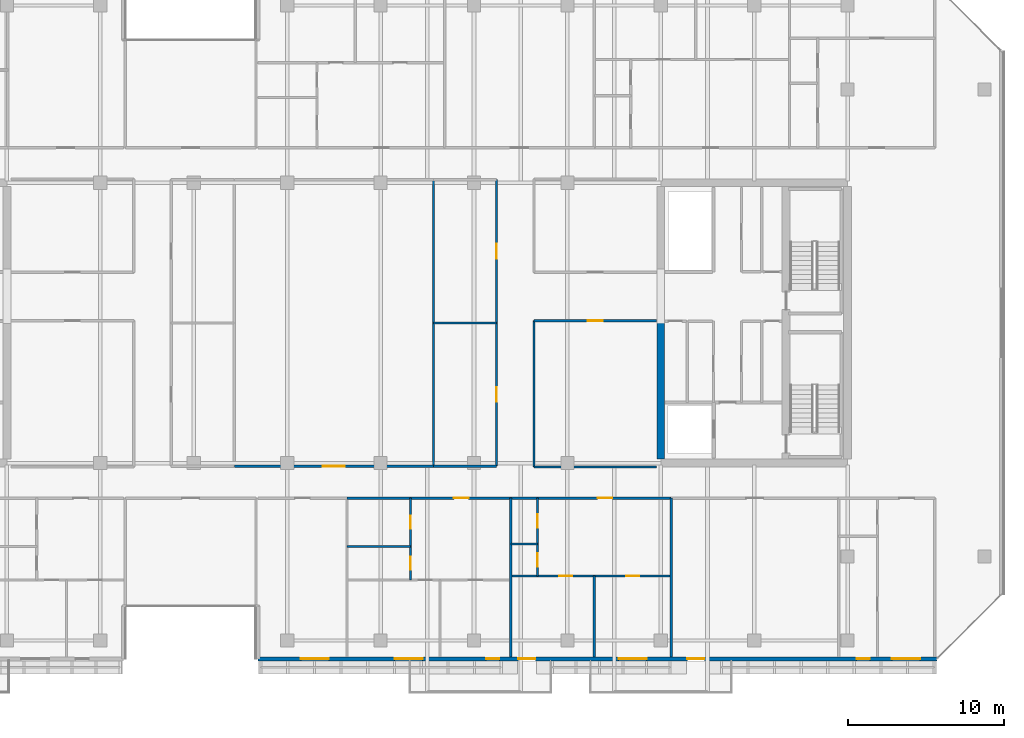
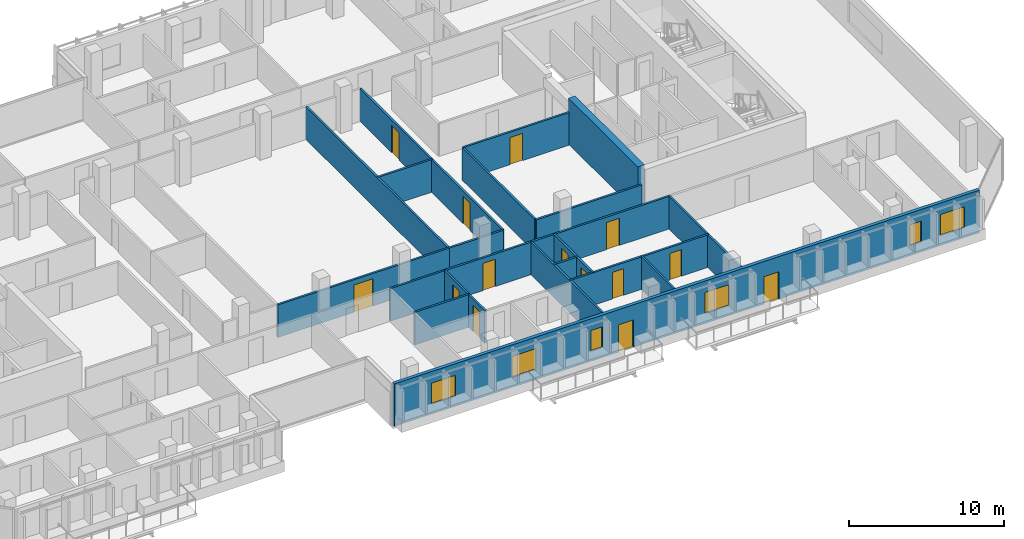
# One storey, part 21 of 31: 21 walls, 14 doors, 6 windows, 20 openings.
"""IFC4 building model written with IfcOpenShell, lengths in metres."""

from ifc_helpers import new_model, si_unit, direction, frame, frame_2d, origin, place, context, subcontext, project, spatial, rectangle, extrude, material, layer, layer_set, type_object, element, fill, save


model = new_model("IFC4")

# Units and contexts
model_context = context("Model", 3, precision=1e-05, world=origin(), true_north=direction((0.0, 1.0)))
body_context = subcontext(model_context, "Body", "Model", "MODEL_VIEW")
ifc_project = project(units=[si_unit("LENGTHUNIT", "METRE"), si_unit("AREAUNIT", "SQUARE_METRE"), si_unit("VOLUMEUNIT", "CUBIC_METRE"), si_unit("PLANEANGLEUNIT", "RADIAN"), si_unit("MASSUNIT", "GRAM", prefix="KILO")], contexts=[model_context])

# Site, building, storey
site_placement = place(None, origin())
site = spatial("IfcSite", under=ifc_project, at=site_placement, CompositionType="ELEMENT")
building_placement = place(site_placement, origin())
building = spatial("IfcBuilding", under=site, at=building_placement, Name="Tanjung Sevakor Pilgrim Tower", CompositionType="ELEMENT")
storey_placement = place(building_placement, frame((0.0, 0.0, 169.2900390625)))
storey = spatial("IfcBuildingStorey", under=building, at=storey_placement, Name="L47", CompositionType="ELEMENT", Elevation=169.2900390625)

# Walls
ifc_material_1 = material(Name="Concrete C60/75", Category="concrete")
ifc_layer_1 = layer(ifc_material_1, 0.5)
ifc_layer_set_1 = layer_set([ifc_layer_1], Name="WALL-CW-500")
wall_type_1 = type_object("IfcWallType", Name="WALL-CW-500", PredefinedType="SHEAR", material=ifc_layer_set_1)
wall_1_placement = place(storey_placement, frame((78.0, 24.85009765625, 0.0), z_axis=(0.0, 0.0, 1.0), x_axis=(0.0, 1.0, 0.0)))
element("IfcWall", 1, at=wall_1_placement, inside=storey, type_object=wall_type_1, Name="L47 E Core Inner Shear Wall South", PredefinedType="SHEAR", context=body_context, shape_type="SweptSolid", body=[
    extrude(rectangle(XDim=8.949951171875, YDim=0.5, at=frame_2d((4.47509765625, 0.0))), origin(), (0.0, 0.0, 1.0), 3.6298828125),
])
ifc_material_2 = material(Name="Concrete C40/50", Category="concrete")
ifc_layer_2 = layer(ifc_material_2, 0.14990234375)
ifc_layer_set_2 = layer_set([ifc_layer_2], Name="WT-COMP-150")
wall_type_2 = type_object("IfcWallType", Name="WT-COMP-150", PredefinedType="SOLIDWALL", material=ifc_layer_set_2)
wall_2_placement = place(storey_placement, frame((69.85009765625, 24.35009765625, 0.0), z_axis=(0.0, 0.0, 1.0), x_axis=(1.0, 0.0, 0.0)))
element("IfcWall", 2, at=wall_2_placement, inside=storey, type_object=wall_type_2, Name="L47 Partition IW-L47-039", PredefinedType="SOLIDWALL", context=body_context, shape_type="SweptSolid", body=[
    extrude(rectangle(XDim=7.8798828125, YDim=0.14990234375, at=frame_2d((3.93994140625, 0.0))), origin(), (0.0, 0.0, 1.0), 2.570068359375),
])

# Wall, opening, door
wall_3_placement = place(storey_placement, frame((69.85009765625, 33.75, 0.0), z_axis=(0.0, 0.0, 1.0), x_axis=(1.0, 0.0, 0.0)))
wall_3 = element("IfcWall", 3, at=wall_3_placement, inside=storey, type_object=wall_type_2, Name="L47 Partition IW-L47-040", PredefinedType="SOLIDWALL", context=body_context, shape_type="SweptSolid", body=[
    extrude(rectangle(XDim=7.8798828125, YDim=0.14990234375, at=frame_2d((3.93994140625, 0.0))), origin(), (0.0, 0.0, 1.0), 2.570068359375),
])
opening_1_placement = place(wall_3_placement, frame((3.465087890625, 0.0, 0.0)))
opening_1 = element("IfcOpeningElement", 4, at=opening_1_placement, cuts=wall_3, Name="Opening ID-RM1", PredefinedType="OPENING", context=body_context, shape_type="SweptSolid", body=[
    extrude(rectangle(XDim=0.949951171875, YDim=2.14990234375, at=frame_2d((0.47509765625, 1.074951171875))), frame((0.0, 0.0849609375, 0.0), z_axis=(0.0, -1.0, 0.0), x_axis=(1.0, 0.0, 0.0)), (0.0, 0.0, 1.0), 0.169921875),
])
ifc_material_3 = material(Name="Hardwood Timber", Category="wood")
door_type_1 = type_object("IfcDoorType", Name="DT-INT-950", OperationType="NOTDEFINED", PredefinedType="DOOR", material=ifc_material_3)
door_1_placement = place(opening_1_placement, origin())
door_1 = element("IfcDoor", 5, at=door_1_placement, inside=storey, type_object=door_type_1, Name="L47 East Inboard South Door", OperationType="SINGLE_SWING_RIGHT", OverallHeight=2.14990234375, OverallWidth=0.949951171875, PredefinedType="DOOR", context=body_context, shape_type="SweptSolid", body=[
    extrude(rectangle(XDim=0.949951171875, YDim=2.14990234375, at=frame_2d((0.47509765625, 1.074951171875))), frame((0.0, 0.02490234375, 0.0), z_axis=(0.0, -1.0, 0.0), x_axis=(1.0, 0.0, 0.0)), (0.0, 0.0, 1.0), 0.050048828125),
])
fill(opening_1, door_1)

# Wall
wall_4_placement = place(storey_placement, frame((69.85009765625, 24.35009765625, 0.0), z_axis=(0.0, 0.0, 1.0), x_axis=(0.0, 1.0, 0.0)))
element("IfcWall", 6, at=wall_4_placement, inside=storey, type_object=wall_type_2, Name="L47 Partition IW-L47-041", PredefinedType="SOLIDWALL", context=body_context, shape_type="SweptSolid", body=[
    extrude(rectangle(XDim=9.39990234375, YDim=0.14990234375, at=frame_2d((4.699951171875, 0.0))), origin(), (0.0, 0.0, 1.0), 2.570068359375),
])

# Wall, opening, door
wall_5_placement = place(storey_placement, frame((50.60009765625, 24.39990234375, 0.0), z_axis=(0.0, 0.0, 1.0), x_axis=(1.0, 0.0, 0.0)))
wall_5 = element("IfcWall", 7, at=wall_5_placement, inside=storey, type_object=wall_type_2, Name="L47 Partition IW-L47-050", PredefinedType="SOLIDWALL", context=body_context, shape_type="SweptSolid", body=[
    extrude(rectangle(XDim=12.7998046875, YDim=0.14990234375, at=frame_2d((6.39990234375, 0.0))), origin(), (0.0, 0.0, 1.0), 2.570068359375),
])
opening_2_placement = place(wall_5_placement, frame((5.699951171875, 0.0, 0.0)))
opening_2 = element("IfcOpeningElement", 8, at=opening_2_placement, cuts=wall_5, Name="Opening ID-HD1", PredefinedType="OPENING", context=body_context, shape_type="SweptSolid", body=[
    extrude(rectangle(XDim=1.39990234375, YDim=2.14990234375, at=frame_2d((0.699951171875, 1.074951171875))), frame((0.0, 0.0849609375, 0.0), z_axis=(0.0, -1.0, 0.0), x_axis=(1.0, 0.0, 0.0)), (0.0, 0.0, 1.0), 0.169921875),
])
ifc_material_4 = material(Name="Hardwood Timber", Category="wood")
door_type_2 = type_object("IfcDoorType", Name="DT-INT-1400", OperationType="DOUBLE_DOOR_SINGLE_SWING", PredefinedType="DOOR", material=ifc_material_4)
door_2_placement = place(opening_2_placement, origin())
door_2 = element("IfcDoor", 9, at=door_2_placement, inside=storey, type_object=door_type_2, Name="L47 Sky-Prayer Sanctuary Door", OperationType="SINGLE_SWING_RIGHT", OverallHeight=2.14990234375, OverallWidth=1.39990234375, PredefinedType="DOOR", context=body_context, shape_type="SweptSolid", body=[
    extrude(rectangle(XDim=1.39990234375, YDim=2.14990234375, at=frame_2d((0.699951171875, 1.074951171875))), frame((0.0, 0.02490234375, 0.0), z_axis=(0.0, -1.0, 0.0), x_axis=(1.0, 0.0, 0.0)), (0.0, 0.0, 1.0), 0.050048828125),
])
fill(opening_2, door_2)

# Walls
wall_6_placement = place(storey_placement, frame((63.39990234375, 24.39990234375, 0.0), z_axis=(0.0, 0.0, 1.0), x_axis=(0.0, 1.0, 0.0)))
element("IfcWall", 10, at=wall_6_placement, inside=storey, type_object=wall_type_2, Name="L47 Partition IW-L47-053", PredefinedType="SOLIDWALL", context=body_context, shape_type="SweptSolid", body=[
    extrude(rectangle(XDim=18.400146484375, YDim=0.14990234375, at=frame_2d((9.2001953125, 0.0))), origin(), (0.0, 0.0, 1.0), 2.570068359375),
])
for number, where, z_axis, x_axis, name in (
    (11, (63.39990234375, 24.39990234375, 0.0), (0.0, 0.0, 1.0), (1.0, 0.0, 0.0), "L47 Partition IW-L47-054"),
    (12, (63.39990234375, 33.60009765625, 0.0), (0.0, 0.0, 1.0), (1.0, 0.0, 0.0), "L47 Partition IW-L47-055"),
):
    element("IfcWall", number, at=place(storey_placement, frame(where, z_axis=z_axis, x_axis=x_axis)), inside=storey, type_object=wall_type_2, Name=name, PredefinedType="SOLIDWALL", context=body_context, shape_type="SweptSolid", body=[
        extrude(rectangle(XDim=4.050048828125, YDim=0.14990234375, at=frame_2d((2.02490234375, 0.0))), origin(), (0.0, 0.0, 1.0), 2.570068359375),
    ])

# Wall, opening, door
wall_7_placement = place(storey_placement, frame((67.449951171875, 24.39990234375, 0.0), z_axis=(0.0, 0.0, 1.0), x_axis=(0.0, 1.0, 0.0)))
wall_7 = element("IfcWall", 13, at=wall_7_placement, inside=storey, type_object=wall_type_2, Name="L47 Partition IW-L47-056", PredefinedType="SOLIDWALL", context=body_context, shape_type="SweptSolid", body=[
    extrude(rectangle(XDim=9.2001953125, YDim=0.14990234375, at=frame_2d((4.60009765625, 0.0))), origin(), (0.0, 0.0, 1.0), 2.570068359375),
])
opening_3_placement = place(wall_7_placement, frame((4.125, 0.0, 0.0)))
opening_3 = element("IfcOpeningElement", 14, at=opening_3_placement, cuts=wall_7, Name="Opening ID-RM1", PredefinedType="OPENING", context=body_context, shape_type="SweptSolid", body=[
    extrude(rectangle(XDim=0.949951171875, YDim=2.14990234375, at=frame_2d((0.47509765625, 1.074951171875))), frame((0.0, 0.0849609375, 0.0), z_axis=(0.0, -1.0, 0.0), x_axis=(1.0, 0.0, 0.0)), (0.0, 0.0, 1.0), 0.169921875),
])
door_3_placement = place(opening_3_placement, origin())
door_3 = element("IfcDoor", 15, at=door_3_placement, inside=storey, type_object=door_type_1, Name="L47 Female Ablution Door", OperationType="SINGLE_SWING_LEFT", OverallHeight=2.14990234375, OverallWidth=0.949951171875, PredefinedType="DOOR", context=body_context, shape_type="SweptSolid", body=[
    extrude(rectangle(XDim=0.949951171875, YDim=2.14990234375, at=frame_2d((0.47509765625, 1.074951171875))), frame((0.0, 0.02490234375, 0.0), z_axis=(0.0, -1.0, 0.0), x_axis=(1.0, 0.0, 0.0)), (0.0, 0.0, 1.0), 0.050048828125),
])
fill(opening_3, door_3)

wall_8_placement = place(storey_placement, frame((67.449951171875, 33.60009765625, 0.0), z_axis=(0.0, 0.0, 1.0), x_axis=(0.0, 1.0, 0.0)))
wall_8 = element("IfcWall", 16, at=wall_8_placement, inside=storey, type_object=wall_type_2, Name="L47 Partition IW-L47-058", PredefinedType="SOLIDWALL", context=body_context, shape_type="SweptSolid", body=[
    extrude(rectangle(XDim=9.199951171875, YDim=0.14990234375, at=frame_2d((4.60009765625, 0.0))), origin(), (0.0, 0.0, 1.0), 2.570068359375),
])
opening_4_placement = place(wall_8_placement, frame((4.125, 0.0, 0.0)))
opening_4 = element("IfcOpeningElement", 17, at=opening_4_placement, cuts=wall_8, Name="Opening ID-RM1", PredefinedType="OPENING", context=body_context, shape_type="SweptSolid", body=[
    extrude(rectangle(XDim=0.949951171875, YDim=2.14990234375, at=frame_2d((0.47509765625, 1.074951171875))), frame((0.0, 0.0849609375, 0.0), z_axis=(0.0, -1.0, 0.0), x_axis=(1.0, 0.0, 0.0)), (0.0, 0.0, 1.0), 0.169921875),
])
door_4_placement = place(opening_4_placement, origin())
door_4 = element("IfcDoor", 18, at=door_4_placement, inside=storey, type_object=door_type_1, Name="L47 Female Washroom Door", OperationType="SINGLE_SWING_RIGHT", OverallHeight=2.14990234375, OverallWidth=0.949951171875, PredefinedType="DOOR", context=body_context, shape_type="SweptSolid", body=[
    extrude(rectangle(XDim=0.949951171875, YDim=2.14990234375, at=frame_2d((0.47509765625, 1.074951171875))), frame((0.0, 0.02490234375, 0.0), z_axis=(0.0, -1.0, 0.0), x_axis=(1.0, 0.0, 0.0)), (0.0, 0.0, 1.0), 0.050048828125),
])
fill(opening_4, door_4)

# Wall
wall_9_placement = place(storey_placement, frame((68.367919921875, 12.14990234375, 0.0), z_axis=(0.0, 0.0, 1.0), x_axis=(0.0, 1.0, 0.0)))
element("IfcWall", 19, at=wall_9_placement, inside=storey, type_object=wall_type_2, Name="L47 Partition IW-L47-080", PredefinedType="SOLIDWALL", context=body_context, shape_type="SweptSolid", body=[
    extrude(rectangle(XDim=10.2001953125, YDim=0.14990234375, at=frame_2d((5.10009765625, 0.0))), origin(), (0.0, 0.0, 1.0), 2.570068359375),
])

# Wall, opening, door
wall_10_placement = place(storey_placement, frame((57.841064453125, 22.35009765625, 0.0), z_axis=(0.0, 0.0, 1.0), x_axis=(1.0, 0.0, 0.0)))
wall_10 = element("IfcWall", 20, at=wall_10_placement, inside=storey, type_object=wall_type_2, Name="L47 Partition IW-L47-085", PredefinedType="SOLIDWALL", context=body_context, shape_type="SweptSolid", body=[
    extrude(rectangle(XDim=10.52685546875, YDim=0.14990234375, at=frame_2d((5.263427734375, 0.0))), origin(), (0.0, 0.0, 1.0), 2.570068359375),
])
opening_5_placement = place(wall_10_placement, frame((6.867919921875, 0.0, 0.0)))
opening_5 = element("IfcOpeningElement", 21, at=opening_5_placement, cuts=wall_10, Name="Opening ID-FD2", PredefinedType="OPENING", context=body_context, shape_type="SweptSolid", body=[
    extrude(rectangle(XDim=0.949951171875, YDim=2.14990234375, at=frame_2d((0.47509765625, 1.074951171875))), frame((0.0, 0.0849609375, 0.0), z_axis=(0.0, -1.0, 0.0), x_axis=(1.0, 0.0, 0.0)), (0.0, 0.0, 1.0), 0.169921875),
])
ifc_material_5 = material(Name="Fire-Rated Timber", Category="wood")
door_type_3 = type_object("IfcDoorType", Name="DT-FIRE-950", OperationType="NOTDEFINED", PredefinedType="DOOR", material=ifc_material_5)
door_5_placement = place(opening_5_placement, origin())
door_5 = element("IfcDoor", 22, at=door_5_placement, inside=storey, type_object=door_type_3, Name="Suite Entrance", OperationType="SINGLE_SWING_RIGHT", OverallHeight=2.14990234375, OverallWidth=0.949951171875, PredefinedType="DOOR", context=body_context, shape_type="SweptSolid", body=[
    extrude(rectangle(XDim=0.949951171875, YDim=2.14990234375, at=frame_2d((0.47509765625, 1.074951171875))), frame((0.0, 0.02490234375, 0.0), z_axis=(0.0, -1.0, 0.0), x_axis=(1.0, 0.0, 0.0)), (0.0, 0.0, 1.0), 0.050048828125),
])
fill(opening_5, door_5)

# Wall
wall_11_placement = place(storey_placement, frame((78.665771484375, 12.14990234375, 0.0), z_axis=(0.0, 0.0, 1.0), x_axis=(0.0, 1.0, 0.0)))
element("IfcWall", 23, at=wall_11_placement, inside=storey, type_object=wall_type_2, Name="L47 Partition IW-L47-086", PredefinedType="SOLIDWALL", context=body_context, shape_type="SweptSolid", body=[
    extrude(rectangle(XDim=10.2001953125, YDim=0.14990234375, at=frame_2d((5.10009765625, 0.0))), origin(), (0.0, 0.0, 1.0), 2.570068359375),
])

# Wall, opening, door
wall_12_placement = place(storey_placement, frame((68.367919921875, 22.35009765625, 0.0), z_axis=(0.0, 0.0, 1.0), x_axis=(1.0, 0.0, 0.0)))
wall_12 = element("IfcWall", 24, at=wall_12_placement, inside=storey, type_object=wall_type_2, Name="L47 Partition IW-L47-091", PredefinedType="SOLIDWALL", context=body_context, shape_type="SweptSolid", body=[
    extrude(rectangle(XDim=10.2978515625, YDim=0.14990234375, at=frame_2d((5.14892578125, 0.0))), origin(), (0.0, 0.0, 1.0), 2.570068359375),
])
opening_6_placement = place(wall_12_placement, frame((5.570068359375, 0.0, 0.0)))
opening_6 = element("IfcOpeningElement", 25, at=opening_6_placement, cuts=wall_12, Name="Opening ID-FD2", PredefinedType="OPENING", context=body_context, shape_type="SweptSolid", body=[
    extrude(rectangle(XDim=0.949951171875, YDim=2.14990234375, at=frame_2d((0.47509765625, 1.074951171875))), frame((0.0, 0.0849609375, 0.0), z_axis=(0.0, -1.0, 0.0), x_axis=(1.0, 0.0, 0.0)), (0.0, 0.0, 1.0), 0.169921875),
])
door_6_placement = place(opening_6_placement, origin())
door_6 = element("IfcDoor", 26, at=door_6_placement, inside=storey, type_object=door_type_3, Name="Suite Entrance", OperationType="SINGLE_SWING_LEFT", OverallHeight=2.14990234375, OverallWidth=0.949951171875, PredefinedType="DOOR", context=body_context, shape_type="SweptSolid", body=[
    extrude(rectangle(XDim=0.949951171875, YDim=2.14990234375, at=frame_2d((0.47509765625, 1.074951171875))), frame((0.0, 0.02490234375, 0.0), z_axis=(0.0, -1.0, 0.0), x_axis=(1.0, 0.0, 0.0)), (0.0, 0.0, 1.0), 0.050048828125),
])
fill(opening_6, door_6)

# Wall, openings, doors, windows
ifc_material_6 = material(Name="Precast concrete C45/55", Category="concrete")
ifc_layer_3 = layer(ifc_material_6, 0.25)
ifc_layer_set_3 = layer_set([ifc_layer_3], Name="WT-EW-STN3")
wall_type_3 = type_object("IfcWallType", Name="WT-EW-STN3", PredefinedType="SOLIDWALL", material=ifc_layer_set_3)
wall_13_placement = place(storey_placement, frame((52.125, 12.02490234375, 0.0), z_axis=(0.0, 0.0, 1.0), x_axis=(1.0, 0.0, 0.0)))
wall_13 = element("IfcWall", 27, at=wall_13_placement, inside=storey, type_object=wall_type_3, Name="L47 MAIN Exterior Wall 5", PredefinedType="SOLIDWALL", context=body_context, shape_type="SweptSolid", body=[
    extrude(rectangle(XDim=43.623291015625, YDim=0.25, at=frame_2d((21.8115234375, 0.0))), origin(), (0.0, 0.0, 1.0), 3.35009765625),
])
opening_7_placement = place(wall_13_placement, frame((16.72509765625, 0.0, 0.0)))
opening_7 = element("IfcOpeningElement", 28, at=opening_7_placement, cuts=wall_13, Name="Opening ED-BAL-1100", PredefinedType="OPENING", context=body_context, shape_type="SweptSolid", body=[
    extrude(rectangle(XDim=1.10009765625, YDim=2.14990234375, at=frame_2d((0.550048828125, 1.074951171875))), frame((0.0, 0.135009765625, 0.0), z_axis=(0.0, -1.0, 0.0), x_axis=(1.0, 0.0, 0.0)), (0.0, 0.0, 1.0), 0.27001953125),
])
opening_8_placement = place(wall_13_placement, frame((27.574951171875, 0.0, 0.0)))
opening_8 = element("IfcOpeningElement", 29, at=opening_8_placement, cuts=wall_13, Name="Opening ED-BAL-1100", PredefinedType="OPENING", context=body_context, shape_type="SweptSolid", body=[
    extrude(rectangle(XDim=1.10009765625, YDim=2.14990234375, at=frame_2d((0.550048828125, 1.074951171875))), frame((0.0, 0.135009765625, 0.0), z_axis=(0.0, -1.0, 0.0), x_axis=(1.0, 0.0, 0.0)), (0.0, 0.0, 1.0), 0.27001953125),
])
opening_9_placement = place(wall_13_placement, frame((2.755615234375, 0.0, 0.780029296875)))
opening_9 = element("IfcOpeningElement", 30, at=opening_9_placement, cuts=wall_13, Name="Opening WN-Z3-1660", PredefinedType="OPENING", context=body_context, shape_type="SweptSolid", body=[
    extrude(rectangle(XDim=1.800048828125, YDim=1.659912109375, at=frame_2d((0.89990234375, 0.830078125))), frame((0.0, 0.135009765625, 0.0), z_axis=(0.0, -1.0, 0.0), x_axis=(1.0, 0.0, 0.0)), (0.0, 0.0, 1.0), 0.27001953125),
])
opening_10_placement = place(wall_13_placement, frame((8.775634765625, 0.0, 0.780029296875)))
opening_10 = element("IfcOpeningElement", 31, at=opening_10_placement, cuts=wall_13, Name="Opening WN-Z3-1660", PredefinedType="OPENING", context=body_context, shape_type="SweptSolid", body=[
    extrude(rectangle(XDim=1.800048828125, YDim=1.659912109375, at=frame_2d((0.89990234375, 0.830078125))), frame((0.0, 0.135009765625, 0.0), z_axis=(0.0, -1.0, 0.0), x_axis=(1.0, 0.0, 0.0)), (0.0, 0.0, 1.0), 0.27001953125),
])
opening_11_placement = place(wall_13_placement, frame((14.65380859375, 0.0, 0.780029296875)))
opening_11 = element("IfcOpeningElement", 32, at=opening_11_placement, cuts=wall_13, Name="Opening WN-SLM", PredefinedType="OPENING", context=body_context, shape_type="SweptSolid", body=[
    extrude(rectangle(XDim=0.85009765625, YDim=1.64990234375, at=frame_2d((0.425048828125, 0.824951171875))), frame((0.0, 0.135009765625, 0.0), z_axis=(0.0, -1.0, 0.0), x_axis=(1.0, 0.0, 0.0)), (0.0, 0.0, 1.0), 0.27001953125),
])
opening_12_placement = place(wall_13_placement, frame((23.1591796875, 0.0, 0.780029296875)))
opening_12 = element("IfcOpeningElement", 33, at=opening_12_placement, cuts=wall_13, Name="Opening WN-Z3-1660", PredefinedType="OPENING", context=body_context, shape_type="SweptSolid", body=[
    extrude(rectangle(XDim=1.800048828125, YDim=1.659912109375, at=frame_2d((0.89990234375, 0.830078125))), frame((0.0, 0.135009765625, 0.0), z_axis=(0.0, -1.0, 0.0), x_axis=(1.0, 0.0, 0.0)), (0.0, 0.0, 1.0), 0.27001953125),
])
opening_13_placement = place(wall_13_placement, frame((38.45068359375, 0.0, 0.780029296875)))
opening_13 = element("IfcOpeningElement", 34, at=opening_13_placement, cuts=wall_13, Name="Opening WN-SLM", PredefinedType="OPENING", context=body_context, shape_type="SweptSolid", body=[
    extrude(rectangle(XDim=0.85009765625, YDim=1.64990234375, at=frame_2d((0.425048828125, 0.824951171875))), frame((0.0, 0.135009765625, 0.0), z_axis=(0.0, -1.0, 0.0), x_axis=(1.0, 0.0, 0.0)), (0.0, 0.0, 1.0), 0.27001953125),
])
opening_14_placement = place(wall_13_placement, frame((40.72509765625, 0.0, 0.780029296875)))
opening_14 = element("IfcOpeningElement", 35, at=opening_14_placement, cuts=wall_13, Name="Opening WN-Z3-1660", PredefinedType="OPENING", context=body_context, shape_type="SweptSolid", body=[
    extrude(rectangle(XDim=1.800048828125, YDim=1.659912109375, at=frame_2d((0.89990234375, 0.830078125))), frame((0.0, 0.135009765625, 0.0), z_axis=(0.0, -1.0, 0.0), x_axis=(1.0, 0.0, 0.0)), (0.0, 0.0, 1.0), 0.27001953125),
])
ifc_material_7 = material(Name="Anodised Aluminium and Laminated Glass", Category="aluminium")
door_type_4 = type_object("IfcDoorType", Name="DTYP-ED-BAL-1100", OperationType="NOTDEFINED", PredefinedType="DOOR", material=ifc_material_7)
door_7_placement = place(opening_7_placement, frame((1.10009765625, 0.0, 0.0), z_axis=(0.0, 0.0, 1.0), x_axis=(-1.0, 0.0, 0.0)))
door_7 = element("IfcDoor", 36, at=door_7_placement, inside=storey, type_object=door_type_4, Name="L47 Balcony Door MAIN-S2", OperationType="SINGLE_SWING_LEFT", OverallHeight=2.14990234375, OverallWidth=1.10009765625, PredefinedType="DOOR", context=body_context, shape_type="SweptSolid", body=[
    extrude(rectangle(XDim=1.10009765625, YDim=2.14990234375, at=frame_2d((0.550048828125, 1.074951171875))), frame((0.0, 0.02490234375, 0.0), z_axis=(0.0, -1.0, 0.0), x_axis=(1.0, 0.0, 0.0)), (0.0, 0.0, 1.0), 0.050048828125),
])
fill(opening_7, door_7)
door_8_placement = place(opening_8_placement, frame((1.10009765625, 0.0, 0.0), z_axis=(0.0, 0.0, 1.0), x_axis=(-1.0, 0.0, 0.0)))
door_8 = element("IfcDoor", 37, at=door_8_placement, inside=storey, type_object=door_type_4, Name="L47 Balcony Door MAIN-S3", OperationType="SINGLE_SWING_RIGHT", OverallHeight=2.14990234375, OverallWidth=1.10009765625, PredefinedType="DOOR", context=body_context, shape_type="SweptSolid", body=[
    extrude(rectangle(XDim=1.10009765625, YDim=2.14990234375, at=frame_2d((0.550048828125, 1.074951171875))), frame((0.0, 0.02490234375, 0.0), z_axis=(0.0, -1.0, 0.0), x_axis=(1.0, 0.0, 0.0)), (0.0, 0.0, 1.0), 0.050048828125),
])
fill(opening_8, door_8)
ifc_material_8 = material(Name="Thermally Broken Aluminium and Low-E Glass", Category="aluminium")
window_type_1 = type_object("IfcWindowType", Name="WTYP-WN-SLM", PartitioningType="SINGLE_PANEL", PredefinedType="WINDOW", material=ifc_material_8)
window_1_placement = place(opening_11_placement, origin())
window_1 = element("IfcWindow", 38, at=window_1_placement, inside=storey, type_object=window_type_1, Name="L47 Facade Window 03", OverallHeight=1.64990234375, OverallWidth=0.85009765625, PartitioningType="SINGLE_PANEL", PredefinedType="WINDOW", context=body_context, shape_type="SweptSolid", body=[
    extrude(rectangle(XDim=0.85009765625, YDim=1.64990234375, at=frame_2d((0.425048828125, 0.824951171875))), frame((0.0, 0.030029296875, 0.0), z_axis=(0.0, -1.0, 0.0), x_axis=(1.0, 0.0, 0.0)), (0.0, 0.0, 1.0), 0.06005859375),
])
fill(opening_11, window_1)
window_2_placement = place(opening_13_placement, origin())
window_2 = element("IfcWindow", 39, at=window_2_placement, inside=storey, type_object=window_type_1, Name="L47 Facade Window 05", OverallHeight=1.64990234375, OverallWidth=0.85009765625, PartitioningType="SINGLE_PANEL", PredefinedType="WINDOW", context=body_context, shape_type="SweptSolid", body=[
    extrude(rectangle(XDim=0.85009765625, YDim=1.64990234375, at=frame_2d((0.425048828125, 0.824951171875))), frame((0.0, 0.030029296875, 0.0), z_axis=(0.0, -1.0, 0.0), x_axis=(1.0, 0.0, 0.0)), (0.0, 0.0, 1.0), 0.06005859375),
])
fill(opening_13, window_2)
ifc_material_9 = material(Name="Thermally Broken Aluminium and Low-E Glass", Category="aluminium")
window_type_2 = type_object("IfcWindowType", Name="WTYP-WN-Z3-1660", PartitioningType="DOUBLE_PANEL_VERTICAL", PredefinedType="WINDOW", material=ifc_material_9)
window_3_placement = place(opening_9_placement, origin())
window_3 = element("IfcWindow", 40, at=window_3_placement, inside=storey, type_object=window_type_2, Name="L47 Facade Window 01", OverallHeight=1.659912109375, OverallWidth=1.800048828125, PartitioningType="SINGLE_PANEL", PredefinedType="WINDOW", context=body_context, shape_type="SweptSolid", body=[
    extrude(rectangle(XDim=1.800048828125, YDim=1.659912109375, at=frame_2d((0.89990234375, 0.830078125))), frame((0.0, 0.030029296875, 0.0), z_axis=(0.0, -1.0, 0.0), x_axis=(1.0, 0.0, 0.0)), (0.0, 0.0, 1.0), 0.06005859375),
])
fill(opening_9, window_3)
window_4_placement = place(opening_10_placement, origin())
window_4 = element("IfcWindow", 41, at=window_4_placement, inside=storey, type_object=window_type_2, Name="L47 Facade Window 02", OverallHeight=1.659912109375, OverallWidth=1.800048828125, PartitioningType="SINGLE_PANEL", PredefinedType="WINDOW", context=body_context, shape_type="SweptSolid", body=[
    extrude(rectangle(XDim=1.800048828125, YDim=1.659912109375, at=frame_2d((0.89990234375, 0.830078125))), frame((0.0, 0.030029296875, 0.0), z_axis=(0.0, -1.0, 0.0), x_axis=(1.0, 0.0, 0.0)), (0.0, 0.0, 1.0), 0.06005859375),
])
fill(opening_10, window_4)
window_5_placement = place(opening_12_placement, origin())
window_5 = element("IfcWindow", 42, at=window_5_placement, inside=storey, type_object=window_type_2, Name="L47 Facade Window 04", OverallHeight=1.659912109375, OverallWidth=1.800048828125, PartitioningType="SINGLE_PANEL", PredefinedType="WINDOW", context=body_context, shape_type="SweptSolid", body=[
    extrude(rectangle(XDim=1.800048828125, YDim=1.659912109375, at=frame_2d((0.89990234375, 0.830078125))), frame((0.0, 0.030029296875, 0.0), z_axis=(0.0, -1.0, 0.0), x_axis=(1.0, 0.0, 0.0)), (0.0, 0.0, 1.0), 0.06005859375),
])
fill(opening_12, window_5)
window_6_placement = place(opening_14_placement, origin())
window_6 = element("IfcWindow", 43, at=window_6_placement, inside=storey, type_object=window_type_2, Name="L47 Facade Window 06", OverallHeight=1.659912109375, OverallWidth=1.800048828125, PartitioningType="SINGLE_PANEL", PredefinedType="WINDOW", context=body_context, shape_type="SweptSolid", body=[
    extrude(rectangle(XDim=1.800048828125, YDim=1.659912109375, at=frame_2d((0.89990234375, 0.830078125))), frame((0.0, 0.030029296875, 0.0), z_axis=(0.0, -1.0, 0.0), x_axis=(1.0, 0.0, 0.0)), (0.0, 0.0, 1.0), 0.06005859375),
])
fill(opening_14, window_6)

# Wall
ifc_material_10 = material(Name="Gypsum Board Partition", Category="gypsum board")
ifc_layer_4 = layer(ifc_material_10, 0.14990234375)
ifc_layer_set_4 = layer_set([ifc_layer_4], Name="WT-PART-150")
wall_type_4 = type_object("IfcWallType", Name="WT-PART-150", PredefinedType="PARTITIONING", material=ifc_layer_set_4)
wall_14_placement = place(storey_placement, frame((57.841064453125, 19.2431640625, 0.0), z_axis=(0.0, 0.0, 1.0), x_axis=(1.0, 0.0, 0.0)))
element("IfcWall", 44, at=wall_14_placement, inside=storey, type_object=wall_type_4, Name="L47 Partition IW-L47-081", PredefinedType="PARTITIONING", context=body_context, shape_type="SweptSolid", body=[
    extrude(rectangle(XDim=4.078857421875, YDim=0.14990234375, at=frame_2d((2.03955078125, 0.0))), origin(), (0.0, 0.0, 1.0), 2.570068359375),
])

# Wall, openings, doors
wall_15_placement = place(storey_placement, frame((61.919921875, 17.083984375, 0.0), z_axis=(0.0, 0.0, 1.0), x_axis=(0.0, 1.0, 0.0)))
wall_15 = element("IfcWall", 45, at=wall_15_placement, inside=storey, type_object=wall_type_4, Name="L47 Partition IW-L47-082", PredefinedType="PARTITIONING", context=body_context, shape_type="SweptSolid", body=[
    extrude(rectangle(XDim=5.26611328125, YDim=0.14990234375, at=frame_2d((2.633056640625, 0.0))), origin(), (0.0, 0.0, 1.0), 2.570068359375),
])
opening_15_placement = place(wall_15_placement, frame((0.654541015625, 0.0, 0.0)))
opening_15 = element("IfcOpeningElement", 46, at=opening_15_placement, cuts=wall_15, Name="Opening ID-WC1", PredefinedType="OPENING", context=body_context, shape_type="SweptSolid", body=[
    extrude(rectangle(XDim=0.85009765625, YDim=2.10009765625, at=frame_2d((0.425048828125, 1.050048828125))), frame((0.0, 0.0849609375, 0.0), z_axis=(0.0, -1.0, 0.0), x_axis=(1.0, 0.0, 0.0)), (0.0, 0.0, 1.0), 0.169921875),
])
opening_16_placement = place(wall_15_placement, frame((3.28759765625, 0.0, 0.0)))
opening_16 = element("IfcOpeningElement", 47, at=opening_16_placement, cuts=wall_15, Name="Opening ID-WC1", PredefinedType="OPENING", context=body_context, shape_type="SweptSolid", body=[
    extrude(rectangle(XDim=0.85009765625, YDim=2.10009765625, at=frame_2d((0.425048828125, 1.050048828125))), frame((0.0, 0.0849609375, 0.0), z_axis=(0.0, -1.0, 0.0), x_axis=(1.0, 0.0, 0.0)), (0.0, 0.0, 1.0), 0.169921875),
])
ifc_material_11 = material(Name="Moisture-Resistant Timber", Category="wood")
door_type_5 = type_object("IfcDoorType", Name="DT-INT-850", OperationType="NOTDEFINED", PredefinedType="DOOR", material=ifc_material_11)
door_9_placement = place(opening_15_placement, origin())
door_9 = element("IfcDoor", 48, at=door_9_placement, inside=storey, type_object=door_type_5, Name="Suite Bathroom Door", OperationType="SINGLE_SWING_RIGHT", OverallHeight=2.10009765625, OverallWidth=0.85009765625, PredefinedType="DOOR", context=body_context, shape_type="SweptSolid", body=[
    extrude(rectangle(XDim=0.85009765625, YDim=2.10009765625, at=frame_2d((0.425048828125, 1.050048828125))), frame((0.0, 0.02490234375, 0.0), z_axis=(0.0, -1.0, 0.0), x_axis=(1.0, 0.0, 0.0)), (0.0, 0.0, 1.0), 0.050048828125),
])
fill(opening_15, door_9)
door_10_placement = place(opening_16_placement, origin())
door_10 = element("IfcDoor", 49, at=door_10_placement, inside=storey, type_object=door_type_5, Name="Suite Kitchenette Door", OperationType="SINGLE_SWING_LEFT", OverallHeight=2.10009765625, OverallWidth=0.85009765625, PredefinedType="DOOR", context=body_context, shape_type="SweptSolid", body=[
    extrude(rectangle(XDim=0.85009765625, YDim=2.10009765625, at=frame_2d((0.425048828125, 1.050048828125))), frame((0.0, 0.02490234375, 0.0), z_axis=(0.0, -1.0, 0.0), x_axis=(1.0, 0.0, 0.0)), (0.0, 0.0, 1.0), 0.050048828125),
])
fill(opening_16, door_10)

# Wall
wall_16_placement = place(storey_placement, frame((68.367919921875, 19.39990234375, 0.0), z_axis=(0.0, 0.0, 1.0), x_axis=(1.0, 0.0, 0.0)))
element("IfcWall", 50, at=wall_16_placement, inside=storey, type_object=wall_type_4, Name="L47 Partition IW-L47-087", PredefinedType="PARTITIONING", context=body_context, shape_type="SweptSolid", body=[
    extrude(rectangle(XDim=1.712158203125, YDim=0.14990234375, at=frame_2d((0.85595703125, 0.0))), origin(), (0.0, 0.0, 1.0), 2.570068359375),
])

# Wall, openings, doors
wall_17_placement = place(storey_placement, frame((70.080078125, 17.35009765625, 0.0), z_axis=(0.0, 0.0, 1.0), x_axis=(0.0, 1.0, 0.0)))
wall_17 = element("IfcWall", 51, at=wall_17_placement, inside=storey, type_object=wall_type_4, Name="L47 Partition IW-L47-088", PredefinedType="PARTITIONING", context=body_context, shape_type="SweptSolid", body=[
    extrude(rectangle(XDim=5.0, YDim=0.14990234375, at=frame_2d((2.5, 0.0))), origin(), (0.0, 0.0, 1.0), 2.570068359375),
])
opening_17_placement = place(wall_17_placement, frame((0.60009765625, 0.0, 0.0)))
opening_17 = element("IfcOpeningElement", 52, at=opening_17_placement, cuts=wall_17, Name="Opening ID-WC1", PredefinedType="OPENING", context=body_context, shape_type="SweptSolid", body=[
    extrude(rectangle(XDim=0.85009765625, YDim=2.10009765625, at=frame_2d((0.425048828125, 1.050048828125))), frame((0.0, 0.0849609375, 0.0), z_axis=(0.0, -1.0, 0.0), x_axis=(1.0, 0.0, 0.0)), (0.0, 0.0, 1.0), 0.169921875),
])
opening_18_placement = place(wall_17_placement, frame((3.10009765625, 0.0, 0.0)))
opening_18 = element("IfcOpeningElement", 53, at=opening_18_placement, cuts=wall_17, Name="Opening ID-WC1", PredefinedType="OPENING", context=body_context, shape_type="SweptSolid", body=[
    extrude(rectangle(XDim=0.85009765625, YDim=2.10009765625, at=frame_2d((0.425048828125, 1.050048828125))), frame((0.0, 0.0849609375, 0.0), z_axis=(0.0, -1.0, 0.0), x_axis=(1.0, 0.0, 0.0)), (0.0, 0.0, 1.0), 0.169921875),
])
door_11_placement = place(opening_17_placement, origin())
door_11 = element("IfcDoor", 54, at=door_11_placement, inside=storey, type_object=door_type_5, Name="Suite Bathroom Door", OperationType="SINGLE_SWING_LEFT", OverallHeight=2.10009765625, OverallWidth=0.85009765625, PredefinedType="DOOR", context=body_context, shape_type="SweptSolid", body=[
    extrude(rectangle(XDim=0.85009765625, YDim=2.10009765625, at=frame_2d((0.425048828125, 1.050048828125))), frame((0.0, 0.02490234375, 0.0), z_axis=(0.0, -1.0, 0.0), x_axis=(1.0, 0.0, 0.0)), (0.0, 0.0, 1.0), 0.050048828125),
])
fill(opening_17, door_11)
door_12_placement = place(opening_18_placement, origin())
door_12 = element("IfcDoor", 55, at=door_12_placement, inside=storey, type_object=door_type_5, Name="Suite Kitchenette Door", OperationType="SINGLE_SWING_RIGHT", OverallHeight=2.10009765625, OverallWidth=0.85009765625, PredefinedType="DOOR", context=body_context, shape_type="SweptSolid", body=[
    extrude(rectangle(XDim=0.85009765625, YDim=2.10009765625, at=frame_2d((0.425048828125, 1.050048828125))), frame((0.0, 0.02490234375, 0.0), z_axis=(0.0, -1.0, 0.0), x_axis=(1.0, 0.0, 0.0)), (0.0, 0.0, 1.0), 0.050048828125),
])
fill(opening_18, door_12)

# Wall
wall_18_placement = place(storey_placement, frame((73.72265625, 12.14990234375, 0.0), z_axis=(0.0, 0.0, 1.0), x_axis=(0.0, 1.0, 0.0)))
element("IfcWall", 56, at=wall_18_placement, inside=storey, type_object=wall_type_4, Name="L47 Partition IW-L47-089", PredefinedType="PARTITIONING", context=body_context, shape_type="SweptSolid", body=[
    extrude(rectangle(XDim=5.2001953125, YDim=0.14990234375, at=frame_2d((2.60009765625, 0.0))), origin(), (0.0, 0.0, 1.0), 2.570068359375),
])

# Wall, openings, doors
wall_19_placement = place(storey_placement, frame((68.367919921875, 17.35009765625, 0.0), z_axis=(0.0, 0.0, 1.0), x_axis=(1.0, 0.0, 0.0)))
wall_19 = element("IfcWall", 57, at=wall_19_placement, inside=storey, type_object=wall_type_4, Name="L47 Partition IW-L47-090", PredefinedType="PARTITIONING", context=body_context, shape_type="SweptSolid", body=[
    extrude(rectangle(XDim=10.2978515625, YDim=0.14990234375, at=frame_2d((5.14892578125, 0.0))), origin(), (0.0, 0.0, 1.0), 2.570068359375),
])
opening_19_placement = place(wall_19_placement, frame((3.108642578125, 0.0, 0.0)))
opening_19 = element("IfcOpeningElement", 58, at=opening_19_placement, cuts=wall_19, Name="Opening ID-WC1", PredefinedType="OPENING", context=body_context, shape_type="SweptSolid", body=[
    extrude(rectangle(XDim=0.85009765625, YDim=2.10009765625, at=frame_2d((0.425048828125, 1.050048828125))), frame((0.0, 0.0849609375, 0.0), z_axis=(0.0, -1.0, 0.0), x_axis=(1.0, 0.0, 0.0)), (0.0, 0.0, 1.0), 0.169921875),
])
opening_20_placement = place(wall_19_placement, frame((7.4013671875, 0.0, 0.0)))
opening_20 = element("IfcOpeningElement", 59, at=opening_20_placement, cuts=wall_19, Name="Opening ID-WC1", PredefinedType="OPENING", context=body_context, shape_type="SweptSolid", body=[
    extrude(rectangle(XDim=0.85009765625, YDim=2.10009765625, at=frame_2d((0.425048828125, 1.050048828125))), frame((0.0, 0.0849609375, 0.0), z_axis=(0.0, -1.0, 0.0), x_axis=(1.0, 0.0, 0.0)), (0.0, 0.0, 1.0), 0.169921875),
])
door_13_placement = place(opening_19_placement, origin())
door_13 = element("IfcDoor", 60, at=door_13_placement, inside=storey, type_object=door_type_5, Name="Suite Bedroom 1 Door", OperationType="SINGLE_SWING_LEFT", OverallHeight=2.10009765625, OverallWidth=0.85009765625, PredefinedType="DOOR", context=body_context, shape_type="SweptSolid", body=[
    extrude(rectangle(XDim=0.85009765625, YDim=2.10009765625, at=frame_2d((0.425048828125, 1.050048828125))), frame((0.0, 0.02490234375, 0.0), z_axis=(0.0, -1.0, 0.0), x_axis=(1.0, 0.0, 0.0)), (0.0, 0.0, 1.0), 0.050048828125),
])
fill(opening_19, door_13)
door_14_placement = place(opening_20_placement, origin())
door_14 = element("IfcDoor", 61, at=door_14_placement, inside=storey, type_object=door_type_5, Name="Suite Bedroom 2 Door", OperationType="SINGLE_SWING_RIGHT", OverallHeight=2.10009765625, OverallWidth=0.85009765625, PredefinedType="DOOR", context=body_context, shape_type="SweptSolid", body=[
    extrude(rectangle(XDim=0.85009765625, YDim=2.10009765625, at=frame_2d((0.425048828125, 1.050048828125))), frame((0.0, 0.02490234375, 0.0), z_axis=(0.0, -1.0, 0.0), x_axis=(1.0, 0.0, 0.0)), (0.0, 0.0, 1.0), 0.050048828125),
])
fill(opening_20, door_14)

save(model, "model.ifc")
